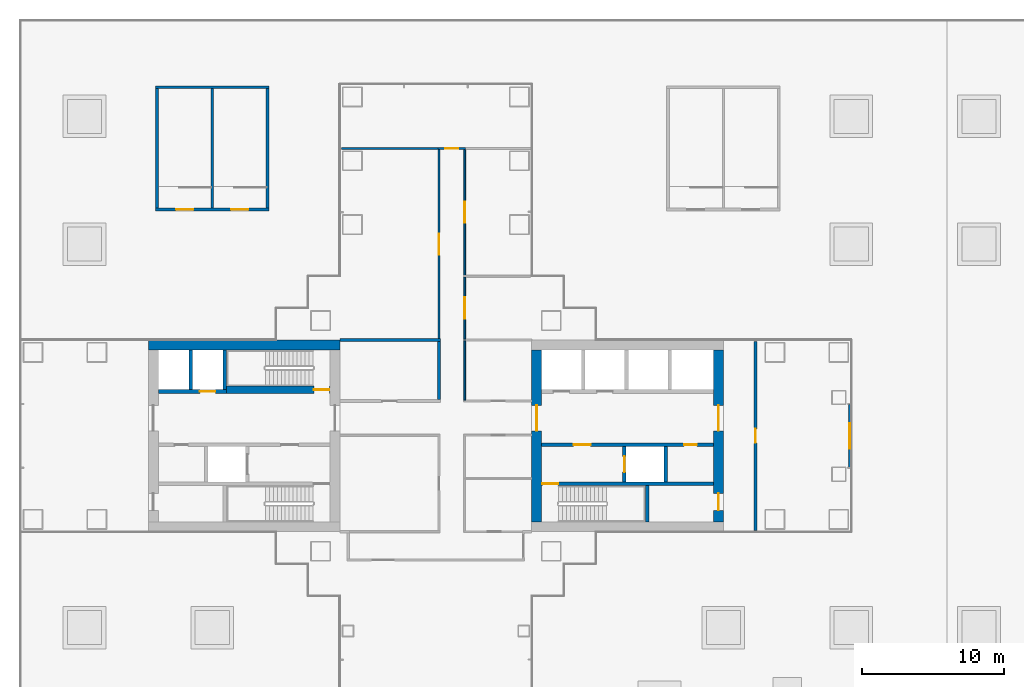
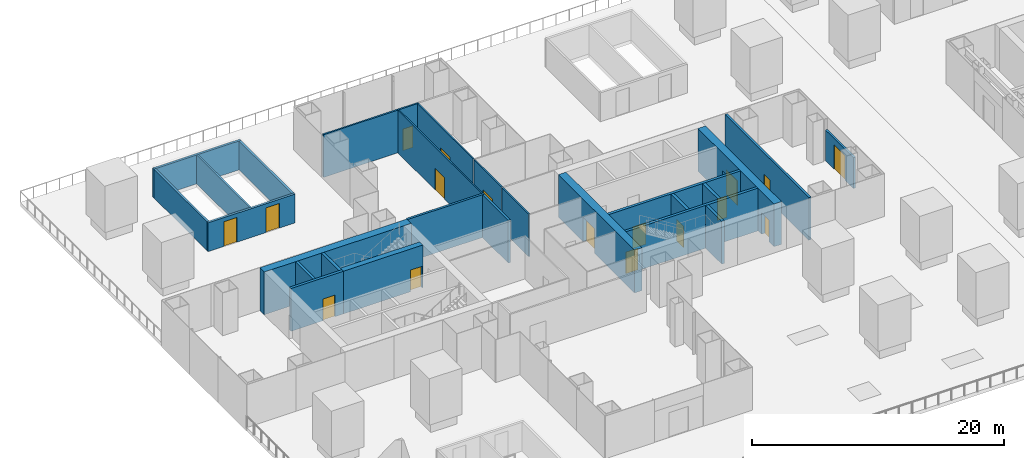
# One storey, part 15 of 23: 27 walls, 17 doors, 17 openings.
"""IFC4 building model written with IfcOpenShell, lengths in metres."""

from ifc_helpers import new_model, si_unit, direction, frame, frame_2d, origin, place, context, subcontext, project, spatial, rectangle, extrude, material, layer, layer_set, type_object, element, fill, save


model = new_model("IFC4")

# Units and contexts
model_context = context("Model", 3, precision=1e-05, world=origin(), true_north=direction((0.0, 1.0)))
body_context = subcontext(model_context, "Body", "Model", "MODEL_VIEW")
ifc_project = project(units=[si_unit("LENGTHUNIT", "METRE"), si_unit("AREAUNIT", "SQUARE_METRE"), si_unit("VOLUMEUNIT", "CUBIC_METRE"), si_unit("PLANEANGLEUNIT", "RADIAN"), si_unit("MASSUNIT", "GRAM", prefix="KILO")], contexts=[model_context])

# Site, building, storey
site_placement = place(None, origin())
site = spatial("IfcSite", under=ifc_project, at=site_placement, CompositionType="ELEMENT")
building_placement = place(site_placement, origin())
building = spatial("IfcBuilding", under=site, at=building_placement, Name="Shamsa Quay Exchange Towers", CompositionType="ELEMENT")
storey_placement = place(building_placement, frame((0.0, 0.0, 28.5)))
storey = spatial("IfcBuildingStorey", under=building, at=storey_placement, Name="L05", CompositionType="ELEMENT", Elevation=28.5)

# Wall, opening, door
ifc_material_1 = material(Name="Concrete C80/95", Category="concrete")
ifc_layer_1 = layer(ifc_material_1, 0.699951171875)
ifc_layer_set_1 = layer_set([ifc_layer_1], Name="CORE WALL 700 C80/95")
wall_type_1 = type_object("IfcWallType", Name="CORE WALL 700 C80/95", PredefinedType="SHEAR", material=ifc_layer_set_1)
wall_1_placement = place(storey_placement, frame((-26.64990234375, 6.050048828125, 0.0), z_axis=(0.0, 0.0, 1.0), x_axis=(0.0, -1.0, 0.0)))
wall_1 = element("IfcWall", 1, at=wall_1_placement, inside=storey, type_object=wall_type_1, Name="Core wall T1A-R01-PF", PredefinedType="SHEAR", context=body_context, shape_type="SweptSolid", body=[
    extrude(rectangle(XDim=12.10009765625, YDim=0.699951171875, at=frame_2d((6.050048828125, 0.0))), origin(), (0.0, 0.0, 1.0), 4.14990234375),
])
opening_1_placement = place(wall_1_placement, frame((3.89990234375, 0.0, 0.0)))
opening_1 = element("IfcOpeningElement", 2, at=opening_1_placement, cuts=wall_1, Name="Opening T1A-R01-LBD01", PredefinedType="OPENING", context=body_context, shape_type="SweptSolid", body=[
    extrude(rectangle(XDim=1.800048828125, YDim=2.39990234375, at=frame_2d((0.89990234375, 1.199951171875))), frame((0.0, 0.35986328125, 0.0), z_axis=(0.0, -1.0, 0.0), x_axis=(1.0, 0.0, 0.0)), (0.0, 0.0, 1.0), 0.719970703125),
])
ifc_material_2 = material(Name="Steel, fire rated", Category="steel")
door_type_1 = type_object("IfcDoorType", Name="LIFT LOBBY DOOR PAIR 1800", OperationType="DOUBLE_DOOR_SINGLE_SWING", PredefinedType="DOOR", material=ifc_material_2)
door_1_placement = place(opening_1_placement, origin())
door_1 = element("IfcDoor", 3, at=door_1_placement, inside=storey, type_object=door_type_1, Name="T1A-R01-LBD01", OperationType="DOUBLE_DOOR_SINGLE_SWING", OverallHeight=2.39990234375, OverallWidth=1.800048828125, PredefinedType="DOOR", context=body_context, shape_type="SweptSolid", body=[
    extrude(rectangle(XDim=1.800048828125, YDim=2.39990234375, at=frame_2d((0.89990234375, 1.199951171875))), frame((0.0, 0.02490234375, 0.0), z_axis=(0.0, -1.0, 0.0), x_axis=(1.0, 0.0, 0.0)), (0.0, 0.0, 1.0), 0.050048828125),
])
fill(opening_1, door_1)

# Wall, openings, doors
wall_2_placement = place(storey_placement, frame((-13.85009765625, 6.050048828125, 0.0), z_axis=(0.0, 0.0, 1.0), x_axis=(0.0, -1.0, 0.0)))
wall_2 = element("IfcWall", 4, at=wall_2_placement, inside=storey, type_object=wall_type_1, Name="Core wall T1A-R01-PB", PredefinedType="SHEAR", context=body_context, shape_type="SweptSolid", body=[
    extrude(rectangle(XDim=12.10009765625, YDim=0.699951171875, at=frame_2d((6.050048828125, 0.0))), origin(), (0.0, 0.0, 1.0), 4.14990234375),
])
opening_2_placement = place(wall_2_placement, frame((10.10009765625, 0.0, 0.0)))
opening_2 = element("IfcOpeningElement", 5, at=opening_2_placement, cuts=wall_2, Name="Opening T1A-R01-RD02", PredefinedType="OPENING", context=body_context, shape_type="SweptSolid", body=[
    extrude(rectangle(XDim=1.199951171875, YDim=2.10009765625, at=frame_2d((0.60009765625, 1.050048828125))), frame((0.0, 0.35986328125, 0.0), z_axis=(0.0, -1.0, 0.0), x_axis=(1.0, 0.0, 0.0)), (0.0, 0.0, 1.0), 0.719970703125),
])
opening_3_placement = place(wall_2_placement, frame((3.89990234375, 0.0, 0.0)))
opening_3 = element("IfcOpeningElement", 6, at=opening_3_placement, cuts=wall_2, Name="Opening T1A-R01-LBD03", PredefinedType="OPENING", context=body_context, shape_type="SweptSolid", body=[
    extrude(rectangle(XDim=1.800048828125, YDim=2.39990234375, at=frame_2d((0.89990234375, 1.199951171875))), frame((0.0, 0.35986328125, 0.0), z_axis=(0.0, -1.0, 0.0), x_axis=(1.0, 0.0, 0.0)), (0.0, 0.0, 1.0), 0.719970703125),
])
door_2_placement = place(opening_3_placement, origin())
door_2 = element("IfcDoor", 7, at=door_2_placement, inside=storey, type_object=door_type_1, Name="T1A-R01-LBD03", OperationType="DOUBLE_DOOR_SINGLE_SWING", OverallHeight=2.39990234375, OverallWidth=1.800048828125, PredefinedType="DOOR", context=body_context, shape_type="SweptSolid", body=[
    extrude(rectangle(XDim=1.800048828125, YDim=2.39990234375, at=frame_2d((0.89990234375, 1.199951171875))), frame((0.0, 0.02490234375, 0.0), z_axis=(0.0, -1.0, 0.0), x_axis=(1.0, 0.0, 0.0)), (0.0, 0.0, 1.0), 0.050048828125),
])
fill(opening_3, door_2)
door_type_2 = type_object("IfcDoorType", Name="RISER ACCESS DOOR 1200", OperationType="SINGLE_SWING_LEFT", PredefinedType="DOOR", material=ifc_material_2)
door_3_placement = place(opening_2_placement, origin())
door_3 = element("IfcDoor", 8, at=door_3_placement, inside=storey, type_object=door_type_2, Name="T1A-R01-RD02", OperationType="SINGLE_SWING_RIGHT", OverallHeight=2.10009765625, OverallWidth=1.199951171875, PredefinedType="DOOR", context=body_context, shape_type="SweptSolid", body=[
    extrude(rectangle(XDim=1.199951171875, YDim=2.10009765625, at=frame_2d((0.60009765625, 1.050048828125))), frame((0.0, 0.02490234375, 0.0), z_axis=(0.0, -1.0, 0.0), x_axis=(1.0, 0.0, 0.0)), (0.0, 0.0, 1.0), 0.050048828125),
])
fill(opening_2, door_3)

# Wall
wall_3_placement = place(storey_placement, frame((-40.5, 6.39990234375, 0.0), z_axis=(0.0, 0.0, 1.0), x_axis=(-1.0, 0.0, 0.0)))
element("IfcWall", 9, at=wall_3_placement, inside=storey, type_object=wall_type_1, Name="Core wall T1B-R01-PN", PredefinedType="SHEAR", context=body_context, shape_type="SweptSolid", body=[
    extrude(rectangle(XDim=13.5, YDim=0.699951171875, at=frame_2d((6.75, 0.0))), origin(), (0.0, 0.0, 1.0), 4.14990234375),
])

# Wall, opening, door
ifc_material_3 = material(Name="Aluminium EN AW-6063 T6, black anodised, with black enamelled glass infill", Category="aluminium")
ifc_layer_2 = layer(ifc_material_3, 0.199951171875)
ifc_layer_set_2 = layer_set([ifc_layer_2], Name="ENTRANCE DOOR BAY WALL 200")
wall_type_2 = type_object("IfcWallType", Name="ENTRANCE DOOR BAY WALL 200", PredefinedType="SOLIDWALL", material=ifc_layer_set_2)
wall_4_placement = place(storey_placement, frame((-4.60009765625, 2.219970703125, 0.0), z_axis=(0.0, 0.0, 1.0), x_axis=(0.0, -1.0, 0.0)))
wall_4 = element("IfcWall", 10, at=wall_4_placement, inside=storey, type_object=wall_type_2, Name="Entrance bay T1 L05 T1-END-U+ bay 2", PredefinedType="SOLIDWALL", context=body_context, shape_type="SweptSolid", body=[
    extrude(rectangle(XDim=4.43994140625, YDim=0.199951171875, at=frame_2d((2.219970703125, 0.0))), origin(), (0.0, 0.0, 1.0), 3.0),
])
opening_4_placement = place(wall_4_placement, frame((1.320068359375, 0.0, 0.0)))
opening_4 = element("IfcOpeningElement", 11, at=opening_4_placement, cuts=wall_4, Name="Opening XD038", PredefinedType="OPENING", context=body_context, shape_type="SweptSolid", body=[
    extrude(rectangle(XDim=1.800048828125, YDim=2.39990234375, at=frame_2d((0.89990234375, 1.199951171875))), frame((0.0, 0.10986328125, 0.0), z_axis=(0.0, -1.0, 0.0), x_axis=(1.0, 0.0, 0.0)), (0.0, 0.0, 1.0), 0.219970703125),
])
ifc_material_4 = material(Name="Aluminium EN AW-6063 T6, black anodised, with laminated glass leaves", Category="aluminium")
door_type_3 = type_object("IfcDoorType", Name="TERRACE DOOR 1800x2400", OperationType="DOUBLE_DOOR_SINGLE_SWING", PredefinedType="DOOR", material=ifc_material_4)
door_4_placement = place(opening_4_placement, origin())
door_4 = element("IfcDoor", 12, at=door_4_placement, inside=storey, type_object=door_type_3, Name="Terrace door T1 L05 T1-END-U+ bay 2", OperationType="DOUBLE_DOOR_SINGLE_SWING", OverallHeight=2.39990234375, OverallWidth=1.800048828125, PredefinedType="DOOR", context=body_context, shape_type="SweptSolid", body=[
    extrude(rectangle(XDim=1.800048828125, YDim=2.39990234375, at=frame_2d((0.89990234375, 1.199951171875))), frame((0.0, 0.02490234375, 0.0), z_axis=(0.0, -1.0, 0.0), x_axis=(1.0, 0.0, 0.0)), (0.0, 0.0, 1.0), 0.050048828125),
])
fill(opening_4, door_4)

ifc_material_5 = material(Name="Laminated fire-resisting glass in a metal frame", Category="glass")
ifc_layer_3 = layer(ifc_material_5, 0.125)
ifc_layer_set_3 = layer_set([ifc_layer_3], Name="Glazed partition 125 mm EI 60")
wall_type_3 = type_object("IfcWallType", Name="Glazed partition 125 mm EI 60", PredefinedType="PARTITIONING", material=ifc_layer_set_3)
wall_5_placement = place(storey_placement, frame((-31.724609375, 20.175048828125, 0.0), z_axis=(0.0, 0.0, 1.0), x_axis=(0.0, -1.0, 0.0)))
wall_5 = element("IfcWall", 13, at=wall_5_placement, inside=storey, type_object=wall_type_3, Name="Partition T1-R01-W01", PredefinedType="PARTITIONING", context=body_context, shape_type="SweptSolid", body=[
    extrude(rectangle(XDim=8.862548828125, YDim=0.125, at=frame_2d((4.43115234375, 0.0))), origin(), (0.0, 0.0, 1.0), 4.14990234375),
])
opening_5_placement = place(wall_5_placement, frame((3.675048828125, 0.0, 0.0)))
opening_5 = element("IfcOpeningElement", 14, at=opening_5_placement, cuts=wall_5, Name="Opening T1-R01-D09", PredefinedType="OPENING", context=body_context, shape_type="SweptSolid", body=[
    extrude(rectangle(XDim=1.5, YDim=2.10009765625, at=frame_2d((0.75, 1.050048828125))), frame((0.0, 0.072509765625, 0.0), z_axis=(0.0, -1.0, 0.0), x_axis=(1.0, 0.0, 0.0)), (0.0, 0.0, 1.0), 0.14501953125),
])
ifc_material_6 = material(Name="Timber door leaf in a metal frame", Category="wood")
door_type_4 = type_object("IfcDoorType", Name="Door 1500x2100 FD30S pair", OperationType="NOTDEFINED", PredefinedType="DOOR", material=ifc_material_6)
door_5_placement = place(opening_5_placement, origin())
door_5 = element("IfcDoor", 15, at=door_5_placement, inside=storey, type_object=door_type_4, Name="Door T1-R01-D09", OperationType="DOUBLE_DOOR_SINGLE_SWING", OverallHeight=2.10009765625, OverallWidth=1.5, PredefinedType="DOOR", context=body_context, shape_type="SweptSolid", body=[
    extrude(rectangle(XDim=1.5, YDim=2.10009765625, at=frame_2d((0.75, 1.050048828125))), frame((0.0, 0.02490234375, 0.0), z_axis=(0.0, -1.0, 0.0), x_axis=(1.0, 0.0, 0.0)), (0.0, 0.0, 1.0), 0.050048828125),
])
fill(opening_5, door_5)

# Wall
wall_6_placement = place(storey_placement, frame((-31.724609375, 6.6875, 0.0), z_axis=(0.0, 0.0, 1.0), x_axis=(0.0, -1.0, 0.0)))
element("IfcWall", 16, at=wall_6_placement, inside=storey, type_object=wall_type_3, Name="Partition T1-R01-W02", PredefinedType="PARTITIONING", context=body_context, shape_type="SweptSolid", body=[
    extrude(rectangle(XDim=4.1748046875, YDim=0.125, at=frame_2d((2.08740234375, 0.0))), origin(), (0.0, 0.0, 1.0), 4.14990234375),
])

# Wall, opening, door
wall_7_placement = place(storey_placement, frame((-33.525390625, 6.85009765625, 0.0), z_axis=(0.0, 0.0, 1.0), x_axis=(0.0, 1.0, 0.0)))
wall_7 = element("IfcWall", 17, at=wall_7_placement, inside=storey, type_object=wall_type_3, Name="Partition T1-R01-W11", PredefinedType="PARTITIONING", context=body_context, shape_type="SweptSolid", body=[
    extrude(rectangle(XDim=13.324951171875, YDim=0.125, at=frame_2d((6.66259765625, 0.0))), origin(), (0.0, 0.0, 1.0), 4.14990234375),
])
opening_6_placement = place(wall_7_placement, frame((5.89990234375, 0.0, 0.0)))
opening_6 = element("IfcOpeningElement", 18, at=opening_6_placement, cuts=wall_7, Name="Opening T1-R01-D04", PredefinedType="OPENING", context=body_context, shape_type="SweptSolid", body=[
    extrude(rectangle(XDim=1.5, YDim=2.10009765625, at=frame_2d((0.75, 1.050048828125))), frame((0.0, 0.072509765625, 0.0), z_axis=(0.0, -1.0, 0.0), x_axis=(1.0, 0.0, 0.0)), (0.0, 0.0, 1.0), 0.14501953125),
])
door_6_placement = place(opening_6_placement, origin())
door_6 = element("IfcDoor", 19, at=door_6_placement, inside=storey, type_object=door_type_4, Name="Door T1-R01-D04", OperationType="DOUBLE_DOOR_SINGLE_SWING", OverallHeight=2.10009765625, OverallWidth=1.5, PredefinedType="DOOR", context=body_context, shape_type="SweptSolid", body=[
    extrude(rectangle(XDim=1.5, YDim=2.10009765625, at=frame_2d((0.75, 1.050048828125))), frame((0.0, 0.02490234375, 0.0), z_axis=(0.0, -1.0, 0.0), x_axis=(1.0, 0.0, 0.0)), (0.0, 0.0, 1.0), 0.050048828125),
])
fill(opening_6, door_6)

wall_8_placement = place(storey_placement, frame((-31.724609375, 6.8125, 0.0), z_axis=(0.0, 0.0, 1.0), x_axis=(0.0, 1.0, 0.0)))
wall_8 = element("IfcWall", 20, at=wall_8_placement, inside=storey, type_object=wall_type_3, Name="Partition T1-R01-W13", PredefinedType="PARTITIONING", context=body_context, shape_type="SweptSolid", body=[
    extrude(rectangle(XDim=4.375, YDim=0.125, at=frame_2d((2.1875, 0.0))), origin(), (0.0, 0.0, 1.0), 4.14990234375),
])
opening_7_placement = place(wall_8_placement, frame((1.4375, 0.0, 0.0)))
opening_7 = element("IfcOpeningElement", 21, at=opening_7_placement, cuts=wall_8, Name="Opening T1-R01-D08", PredefinedType="OPENING", context=body_context, shape_type="SweptSolid", body=[
    extrude(rectangle(XDim=1.5, YDim=2.10009765625, at=frame_2d((0.75, 1.050048828125))), frame((0.0, 0.072509765625, 0.0), z_axis=(0.0, -1.0, 0.0), x_axis=(1.0, 0.0, 0.0)), (0.0, 0.0, 1.0), 0.14501953125),
])
door_7_placement = place(opening_7_placement, origin())
door_7 = element("IfcDoor", 22, at=door_7_placement, inside=storey, type_object=door_type_4, Name="Door T1-R01-D08", OperationType="DOUBLE_DOOR_SINGLE_SWING", OverallHeight=2.10009765625, OverallWidth=1.5, PredefinedType="DOOR", context=body_context, shape_type="SweptSolid", body=[
    extrude(rectangle(XDim=1.5, YDim=2.10009765625, at=frame_2d((0.75, 1.050048828125))), frame((0.0, 0.02490234375, 0.0), z_axis=(0.0, -1.0, 0.0), x_axis=(1.0, 0.0, 0.0)), (0.0, 0.0, 1.0), 0.050048828125),
])
fill(opening_7, door_7)

ifc_material_7 = material(Name="Gypsum board partition on metal studs")
ifc_layer_4 = layer(ifc_material_7, 0.14990234375)
ifc_layer_set_4 = layer_set([ifc_layer_4], Name="Partition 150 mm EI 60")
wall_type_4 = type_object("IfcWallType", Name="Partition 150 mm EI 60", PredefinedType="PARTITIONING", material=ifc_layer_set_4)
wall_9_placement = place(storey_placement, frame((-33.587890625, 20.25, 0.0)))
wall_9 = element("IfcWall", 23, at=wall_9_placement, inside=storey, type_object=wall_type_4, Name="Partition T1-R01-W14", PredefinedType="PARTITIONING", context=body_context, shape_type="SweptSolid", body=[
    extrude(rectangle(XDim=1.92578125, YDim=0.14990234375, at=frame_2d((0.962890625, 0.0))), origin(), (0.0, 0.0, 1.0), 4.14990234375),
])
opening_8_placement = place(wall_9_placement, frame((0.512939453125, 0.0, 0.0)))
opening_8 = element("IfcOpeningElement", 24, at=opening_8_placement, cuts=wall_9, Name="Opening T1-R01-D05", PredefinedType="OPENING", context=body_context, shape_type="SweptSolid", body=[
    extrude(rectangle(XDim=0.89990234375, YDim=2.10009765625, at=frame_2d((0.449951171875, 1.050048828125))), frame((0.0, 0.0849609375, 0.0), z_axis=(0.0, -1.0, 0.0), x_axis=(1.0, 0.0, 0.0)), (0.0, 0.0, 1.0), 0.169921875),
])
door_type_5 = type_object("IfcDoorType", Name="Door 900x2100 FD30S", OperationType="NOTDEFINED", PredefinedType="DOOR", material=ifc_material_6)
door_8_placement = place(opening_8_placement, origin())
door_8 = element("IfcDoor", 25, at=door_8_placement, inside=storey, type_object=door_type_5, Name="Door T1-R01-D05", OperationType="SINGLE_SWING_LEFT", OverallHeight=2.10009765625, OverallWidth=0.89990234375, PredefinedType="DOOR", context=body_context, shape_type="SweptSolid", body=[
    extrude(rectangle(XDim=0.89990234375, YDim=2.10009765625, at=frame_2d((0.449951171875, 1.050048828125))), frame((0.0, 0.02490234375, 0.0), z_axis=(0.0, -1.0, 0.0), x_axis=(1.0, 0.0, 0.0)), (0.0, 0.0, 1.0), 0.050048828125),
])
fill(opening_8, door_8)

# Walls
wall_10_placement = place(storey_placement, frame((-33.462890625, 20.25, 0.0), z_axis=(0.0, 0.0, 1.0), x_axis=(-1.0, 0.0, 0.0)))
element("IfcWall", 26, at=wall_10_placement, inside=storey, type_object=wall_type_4, Name="Partition T1-R01-W26", PredefinedType="PARTITIONING", context=body_context, shape_type="SweptSolid", body=[
    extrude(rectangle(XDim=6.942138671875, YDim=0.14990234375, at=frame_2d((3.47119140625, 0.0))), origin(), (0.0, 0.0, 1.0), 4.14990234375),
])
ifc_layer_5 = layer(ifc_material_7, 0.199951171875)
ifc_layer_set_5 = layer_set([ifc_layer_5], Name="Partition 200 mm EI 120")
wall_type_5 = type_object("IfcWallType", Name="Partition 200 mm EI 120", PredefinedType="PARTITIONING", material=ifc_layer_set_5)
wall_11_placement = place(storey_placement, frame((-33.525390625, 2.55029296875, 0.0), z_axis=(0.0, 0.0, 1.0), x_axis=(0.0, 1.0, 0.0)))
element("IfcWall", 27, at=wall_11_placement, inside=storey, type_object=wall_type_5, Name="Partition T1-R01-W08", PredefinedType="PARTITIONING", context=body_context, shape_type="SweptSolid", body=[
    extrude(rectangle(XDim=4.099609375, YDim=0.199951171875, at=frame_2d((2.0498046875, 0.0))), origin(), (0.0, 0.0, 1.0), 4.14990234375),
])

# Wall, opening, door
wall_12_placement = place(storey_placement, frame((-11.25, 6.655029296875, 0.0), z_axis=(0.0, 0.0, 1.0), x_axis=(0.0, -1.0, 0.0)))
wall_12 = element("IfcWall", 28, at=wall_12_placement, inside=storey, type_object=wall_type_5, Name="Partition T1-R01-W18", PredefinedType="PARTITIONING", context=body_context, shape_type="SweptSolid", body=[
    extrude(rectangle(XDim=13.31005859375, YDim=0.199951171875, at=frame_2d((6.655029296875, 0.0))), origin(), (0.0, 0.0, 1.0), 4.14990234375),
])
opening_9_placement = place(wall_12_placement, frame((6.155029296875, 0.0, 0.0)))
opening_9 = element("IfcOpeningElement", 29, at=opening_9_placement, cuts=wall_12, Name="Opening T1-R01-D12", PredefinedType="OPENING", context=body_context, shape_type="SweptSolid", body=[
    extrude(rectangle(XDim=1.0, YDim=2.10009765625, at=frame_2d((0.5, 1.050048828125))), frame((0.0, 0.10986328125, 0.0), z_axis=(0.0, -1.0, 0.0), x_axis=(1.0, 0.0, 0.0)), (0.0, 0.0, 1.0), 0.219970703125),
])
door_type_6 = type_object("IfcDoorType", Name="Door 1000x2100 FD60", OperationType="NOTDEFINED", PredefinedType="DOOR", material=ifc_material_6)
door_9_placement = place(opening_9_placement, origin())
door_9 = element("IfcDoor", 30, at=door_9_placement, inside=storey, type_object=door_type_6, Name="Door T1-R01-D12", OperationType="SINGLE_SWING_RIGHT", OverallHeight=2.10009765625, OverallWidth=1.0, PredefinedType="DOOR", context=body_context, shape_type="SweptSolid", body=[
    extrude(rectangle(XDim=1.0, YDim=2.10009765625, at=frame_2d((0.5, 1.050048828125))), frame((0.0, 0.02490234375, 0.0), z_axis=(0.0, -1.0, 0.0), x_axis=(1.0, 0.0, 0.0)), (0.0, 0.0, 1.0), 0.050048828125),
])
fill(opening_9, door_9)

# Wall
wall_13_placement = place(storey_placement, frame((-33.42529296875, 6.75, 0.0), z_axis=(0.0, 0.0, 1.0), x_axis=(-1.0, 0.0, 0.0)))
element("IfcWall", 31, at=wall_13_placement, inside=storey, type_object=wall_type_5, Name="Partition T1-R01-W23", PredefinedType="PARTITIONING", context=body_context, shape_type="SweptSolid", body=[
    extrude(rectangle(XDim=7.07470703125, YDim=0.199951171875, at=frame_2d((3.537353515625, 0.0))), origin(), (0.0, 0.0, 1.0), 4.14990234375),
])

# Wall, opening, door
ifc_material_8 = material(Name="Concrete C50/60", Category="concrete")
ifc_layer_6 = layer(ifc_material_8, 0.25)
ifc_layer_set_6 = layer_set([ifc_layer_6], Name="SHAFT WALL 250 C50/60")
wall_type_6 = type_object("IfcWallType", Name="SHAFT WALL 250 C50/60", PredefinedType="SHEAR", material=ifc_layer_set_6)
wall_14_placement = place(storey_placement, frame((-14.199951171875, -3.375, 0.0), z_axis=(0.0, 0.0, 1.0), x_axis=(-1.0, 0.0, 0.0)))
wall_14 = element("IfcWall", 32, at=wall_14_placement, inside=storey, type_object=wall_type_6, Name="Shaft wall T1A-R01-STL", PredefinedType="SHEAR", context=body_context, shape_type="SweptSolid", body=[
    extrude(rectangle(XDim=12.10009765625, YDim=0.25, at=frame_2d((6.050048828125, 0.0))), origin(), (0.0, 0.0, 1.0), 4.14990234375),
])
opening_10_placement = place(wall_14_placement, frame((10.949951171875, 0.0, 0.0)))
opening_10 = element("IfcOpeningElement", 33, at=opening_10_placement, cuts=wall_14, Name="Opening T1A-R01-SD04", PredefinedType="OPENING", context=body_context, shape_type="SweptSolid", body=[
    extrude(rectangle(XDim=1.10009765625, YDim=2.10009765625, at=frame_2d((0.550048828125, 1.050048828125))), frame((0.0, 0.135009765625, 0.0), z_axis=(0.0, -1.0, 0.0), x_axis=(1.0, 0.0, 0.0)), (0.0, 0.0, 1.0), 0.27001953125),
])
door_type_7 = type_object("IfcDoorType", Name="STAIR DOOR 1100", OperationType="SINGLE_SWING_LEFT", PredefinedType="DOOR", material=ifc_material_2)
door_10_placement = place(opening_10_placement, origin())
door_10 = element("IfcDoor", 34, at=door_10_placement, inside=storey, type_object=door_type_7, Name="T1A-R01-SD04", OperationType="SINGLE_SWING_RIGHT", OverallHeight=2.10009765625, OverallWidth=1.10009765625, PredefinedType="DOOR", context=body_context, shape_type="SweptSolid", body=[
    extrude(rectangle(XDim=1.10009765625, YDim=2.10009765625, at=frame_2d((0.550048828125, 1.050048828125))), frame((0.0, 0.02490234375, 0.0), z_axis=(0.0, -1.0, 0.0), x_axis=(1.0, 0.0, 0.0)), (0.0, 0.0, 1.0), 0.050048828125),
])
fill(opening_10, door_10)

# Wall
wall_15_placement = place(storey_placement, frame((-18.875, -6.050048828125, 0.0), z_axis=(0.0, 0.0, 1.0), x_axis=(0.0, 1.0, 0.0)))
element("IfcWall", 35, at=wall_15_placement, inside=storey, type_object=wall_type_6, Name="Shaft wall T1A-R01-STF", PredefinedType="SHEAR", context=body_context, shape_type="SweptSolid", body=[
    extrude(rectangle(XDim=2.550048828125, YDim=0.25, at=frame_2d((1.27490234375, 0.0))), origin(), (0.0, 0.0, 1.0), 4.14990234375),
])

# Wall, openings, doors
wall_16_placement = place(storey_placement, frame((-14.199951171875, -0.625, 0.0), z_axis=(0.0, 0.0, 1.0), x_axis=(-1.0, 0.0, 0.0)))
wall_16 = element("IfcWall", 36, at=wall_16_placement, inside=storey, type_object=wall_type_6, Name="Shaft wall T1A-R01-B", PredefinedType="SHEAR", context=body_context, shape_type="SweptSolid", body=[
    extrude(rectangle(XDim=12.10009765625, YDim=0.25, at=frame_2d((6.050048828125, 0.0))), origin(), (0.0, 0.0, 1.0), 4.14990234375),
])
opening_11_placement = place(wall_16_placement, frame((8.64990234375, 0.0, 0.0)))
opening_11 = element("IfcOpeningElement", 37, at=opening_11_placement, cuts=wall_16, Name="Opening T1A-R01-FD05", PredefinedType="OPENING", context=body_context, shape_type="SweptSolid", body=[
    extrude(rectangle(XDim=1.199951171875, YDim=2.10009765625, at=frame_2d((0.60009765625, 1.050048828125))), frame((0.0, 0.135009765625, 0.0), z_axis=(0.0, -1.0, 0.0), x_axis=(1.0, 0.0, 0.0)), (0.0, 0.0, 1.0), 0.27001953125),
])
opening_12_placement = place(wall_16_placement, frame((1.175048828125, 0.0, 0.0)))
opening_12 = element("IfcOpeningElement", 38, at=opening_12_placement, cuts=wall_16, Name="Opening T1A-R01-SV06", PredefinedType="OPENING", context=body_context, shape_type="SweptSolid", body=[
    extrude(rectangle(XDim=0.89990234375, YDim=2.10009765625, at=frame_2d((0.449951171875, 1.050048828125))), frame((0.0, 0.135009765625, 0.0), z_axis=(0.0, -1.0, 0.0), x_axis=(1.0, 0.0, 0.0)), (0.0, 0.0, 1.0), 0.27001953125),
])
door_type_8 = type_object("IfcDoorType", Name="FIRE SERVICE LOBBY DOOR 1200", OperationType="SINGLE_SWING_LEFT", PredefinedType="DOOR", material=ifc_material_2)
door_11_placement = place(opening_11_placement, origin())
door_11 = element("IfcDoor", 39, at=door_11_placement, inside=storey, type_object=door_type_8, Name="T1A-R01-FD05", OperationType="SINGLE_SWING_RIGHT", OverallHeight=2.10009765625, OverallWidth=1.199951171875, PredefinedType="DOOR", context=body_context, shape_type="SweptSolid", body=[
    extrude(rectangle(XDim=1.199951171875, YDim=2.10009765625, at=frame_2d((0.60009765625, 1.050048828125))), frame((0.0, 0.02490234375, 0.0), z_axis=(0.0, -1.0, 0.0), x_axis=(1.0, 0.0, 0.0)), (0.0, 0.0, 1.0), 0.050048828125),
])
fill(opening_11, door_11)
door_type_9 = type_object("IfcDoorType", Name="SERVICE ROOM DOOR 900", OperationType="SINGLE_SWING_LEFT", PredefinedType="DOOR", material=ifc_material_2)
door_12_placement = place(opening_12_placement, origin())
door_12 = element("IfcDoor", 40, at=door_12_placement, inside=storey, type_object=door_type_9, Name="T1A-R01-SV06", OperationType="SINGLE_SWING_LEFT", OverallHeight=2.10009765625, OverallWidth=0.89990234375, PredefinedType="DOOR", context=body_context, shape_type="SweptSolid", body=[
    extrude(rectangle(XDim=0.89990234375, YDim=2.10009765625, at=frame_2d((0.449951171875, 1.050048828125))), frame((0.0, 0.02490234375, 0.0), z_axis=(0.0, -1.0, 0.0), x_axis=(1.0, 0.0, 0.0)), (0.0, 0.0, 1.0), 0.050048828125),
])
fill(opening_12, door_12)

# Wall, opening, door
wall_17_placement = place(storey_placement, frame((-20.47509765625, -3.25, 0.0), z_axis=(0.0, 0.0, 1.0), x_axis=(0.0, 1.0, 0.0)))
wall_17 = element("IfcWall", 41, at=wall_17_placement, inside=storey, type_object=wall_type_6, Name="Shaft wall T1A-R01-FFF", PredefinedType="SHEAR", context=body_context, shape_type="SweptSolid", body=[
    extrude(rectangle(XDim=2.5, YDim=0.25, at=frame_2d((1.25, 0.0))), origin(), (0.0, 0.0, 1.0), 4.14990234375),
])
opening_13_placement = place(wall_17_placement, frame((0.699951171875, 0.0, 0.0)))
opening_13 = element("IfcOpeningElement", 42, at=opening_13_placement, cuts=wall_17, Name="Opening T1A-R01-LDF07", PredefinedType="OPENING", context=body_context, shape_type="SweptSolid", body=[
    extrude(rectangle(XDim=1.10009765625, YDim=2.10009765625, at=frame_2d((0.550048828125, 1.050048828125))), frame((0.0, 0.135009765625, 0.0), z_axis=(0.0, -1.0, 0.0), x_axis=(1.0, 0.0, 0.0)), (0.0, 0.0, 1.0), 0.27001953125),
])
door_type_10 = type_object("IfcDoorType", Name="FIRE SERVICE LANDING DOOR 1100", OperationType="SLIDING_TO_LEFT", PredefinedType="DOOR", material=ifc_material_2)
door_13_placement = place(opening_13_placement, origin())
door_13 = element("IfcDoor", 43, at=door_13_placement, inside=storey, type_object=door_type_10, Name="T1A-R01-LDF07", OperationType="SLIDING_TO_LEFT", OverallHeight=2.10009765625, OverallWidth=1.10009765625, PredefinedType="DOOR", context=body_context, shape_type="SweptSolid", body=[
    extrude(rectangle(XDim=1.10009765625, YDim=2.10009765625, at=frame_2d((0.550048828125, 1.050048828125))), frame((0.0, 0.02490234375, 0.0), z_axis=(0.0, -1.0, 0.0), x_axis=(1.0, 0.0, 0.0)), (0.0, 0.0, 1.0), 0.050048828125),
])
fill(opening_13, door_13)

# Wall
wall_18_placement = place(storey_placement, frame((-17.574951171875, -3.25, 0.0), z_axis=(0.0, 0.0, 1.0), x_axis=(0.0, 1.0, 0.0)))
element("IfcWall", 44, at=wall_18_placement, inside=storey, type_object=wall_type_6, Name="Shaft wall T1A-R01-FFB", PredefinedType="SHEAR", context=body_context, shape_type="SweptSolid", body=[
    extrude(rectangle(XDim=2.5, YDim=0.25, at=frame_2d((1.25, 0.0))), origin(), (0.0, 0.0, 1.0), 4.14990234375),
])

# Wall, opening, door
wall_19_placement = place(storey_placement, frame((-48.5, 3.125, 0.0), z_axis=(0.0, 0.0, 1.0), x_axis=(-1.0, 0.0, 0.0)))
wall_19 = element("IfcWall", 45, at=wall_19_placement, inside=storey, type_object=wall_type_6, Name="Shaft wall T1B-R01-N2", PredefinedType="SHEAR", context=body_context, shape_type="SweptSolid", body=[
    extrude(rectangle(XDim=4.800048828125, YDim=0.25, at=frame_2d((2.39990234375, 0.0))), origin(), (0.0, 0.0, 1.0), 4.14990234375),
])
opening_14_placement = place(wall_19_placement, frame((0.77490234375, 0.0, 0.0)))
opening_14 = element("IfcOpeningElement", 46, at=opening_14_placement, cuts=wall_19, Name="Opening T1B-R01-LD09", PredefinedType="OPENING", context=body_context, shape_type="SweptSolid", body=[
    extrude(rectangle(XDim=1.10009765625, YDim=2.10009765625, at=frame_2d((0.550048828125, 1.050048828125))), frame((0.0, 0.135009765625, 0.0), z_axis=(0.0, -1.0, 0.0), x_axis=(1.0, 0.0, 0.0)), (0.0, 0.0, 1.0), 0.27001953125),
])
door_type_11 = type_object("IfcDoorType", Name="LANDING DOOR 1100", OperationType="SLIDING_TO_LEFT", PredefinedType="DOOR", material=ifc_material_2)
door_14_placement = place(opening_14_placement, origin())
door_14 = element("IfcDoor", 47, at=door_14_placement, inside=storey, type_object=door_type_11, Name="T1B-R01-LD09", OperationType="SLIDING_TO_LEFT", OverallHeight=2.10009765625, OverallWidth=1.10009765625, PredefinedType="DOOR", context=body_context, shape_type="SweptSolid", body=[
    extrude(rectangle(XDim=1.10009765625, YDim=2.10009765625, at=frame_2d((0.550048828125, 1.050048828125))), frame((0.0, 0.02490234375, 0.0), z_axis=(0.0, -1.0, 0.0), x_axis=(1.0, 0.0, 0.0)), (0.0, 0.0, 1.0), 0.050048828125),
])
fill(opening_14, door_14)

# Walls
for number, where, z_axis, x_axis, name in (
    (48, (-48.625, 3.25, 0.0), (0.0, 0.0, 1.0), (0.0, 1.0, 0.0), "Shaft wall T1B-R01-STF2"),
    (49, (-51.02490234375, 3.25, 0.0), (0.0, 0.0, 1.0), (0.0, 1.0, 0.0), "Shaft wall T1B-R01-D0"),
):
    element("IfcWall", number, at=place(storey_placement, frame(where, z_axis=z_axis, x_axis=x_axis)), inside=storey, type_object=wall_type_6, Name=name, PredefinedType="SHEAR", context=body_context, shape_type="SweptSolid", body=[
        extrude(rectangle(XDim=2.800048828125, YDim=0.25, at=frame_2d((1.39990234375, 0.0))), origin(), (0.0, 0.0, 1.0), 4.14990234375),
    ])

# Wall, opening, door
ifc_layer_7 = layer(ifc_material_8, 0.5)
ifc_layer_set_7 = layer_set([ifc_layer_7], Name="SHAFT WALL 500 C50/60")
wall_type_7 = type_object("IfcWallType", Name="SHAFT WALL 500 C50/60", PredefinedType="SHEAR", material=ifc_layer_set_7)
wall_20_placement = place(storey_placement, frame((-48.5, 3.25, 0.0)))
wall_20 = element("IfcWall", 50, at=wall_20_placement, inside=storey, type_object=wall_type_7, Name="Shaft wall T1B-R01-N", PredefinedType="SHEAR", context=body_context, shape_type="SweptSolid", body=[
    extrude(rectangle(XDim=7.300048828125, YDim=0.5, at=frame_2d((3.64990234375, 0.0))), origin(), (0.0, 0.0, 1.0), 4.14990234375),
])
opening_15_placement = place(wall_20_placement, frame((6.14990234375, 0.0, 0.0)))
opening_15 = element("IfcOpeningElement", 51, at=opening_15_placement, cuts=wall_20, Name="Opening T1B-R01-SD08", PredefinedType="OPENING", context=body_context, shape_type="SweptSolid", body=[
    extrude(rectangle(XDim=1.10009765625, YDim=2.10009765625, at=frame_2d((0.550048828125, 1.050048828125))), frame((0.0, 0.260009765625, 0.0), z_axis=(0.0, -1.0, 0.0), x_axis=(1.0, 0.0, 0.0)), (0.0, 0.0, 1.0), 0.52001953125),
])
door_15_placement = place(opening_15_placement, origin())
door_15 = element("IfcDoor", 52, at=door_15_placement, inside=storey, type_object=door_type_7, Name="T1B-R01-SD08", OperationType="SINGLE_SWING_RIGHT", OverallHeight=2.10009765625, OverallWidth=1.10009765625, PredefinedType="DOOR", context=body_context, shape_type="SweptSolid", body=[
    extrude(rectangle(XDim=1.10009765625, YDim=2.10009765625, at=frame_2d((0.550048828125, 1.050048828125))), frame((0.0, 0.02490234375, 0.0), z_axis=(0.0, -1.0, 0.0), x_axis=(1.0, 0.0, 0.0)), (0.0, 0.0, 1.0), 0.050048828125),
])
fill(opening_15, door_15)

# Wall, openings, doors
ifc_layer_8 = layer(ifc_material_8, 0.199951171875)
ifc_layer_set_8 = layer_set([ifc_layer_8], Name="STAIR ENCLOSURE WALL 200 C50/60")
wall_type_8 = type_object("IfcWallType", Name="STAIR ENCLOSURE WALL 200 C50/60", PredefinedType="SHEAR", material=ifc_layer_set_8)
wall_21_placement = place(storey_placement, frame((-53.5, 15.949951171875, 0.0)))
wall_21 = element("IfcWall", 53, at=wall_21_placement, inside=storey, type_object=wall_type_8, Name="Stair enclosure wall PS1 inward", PredefinedType="SHEAR", context=body_context, shape_type="SweptSolid", body=[
    extrude(rectangle(XDim=8.0, YDim=0.199951171875, at=frame_2d((4.0, 0.0))), origin(), (0.0, 0.0, 1.0), 2.800048828125),
])
opening_16_placement = place(wall_21_placement, frame((1.46240234375, 0.0, 0.0)))
opening_16 = element("IfcOpeningElement", 54, at=opening_16_placement, cuts=wall_21, Name="Opening PS1A-L05-SD01", PredefinedType="OPENING", context=body_context, shape_type="SweptSolid", body=[
    extrude(rectangle(XDim=1.199951171875, YDim=2.39990234375, at=frame_2d((0.60009765625, 1.199951171875))), frame((0.0, 0.10986328125, 0.0), z_axis=(0.0, -1.0, 0.0), x_axis=(1.0, 0.0, 0.0)), (0.0, 0.0, 1.0), 0.219970703125),
])
opening_17_placement = place(wall_21_placement, frame((5.33740234375, 0.0, 0.0)))
opening_17 = element("IfcOpeningElement", 55, at=opening_17_placement, cuts=wall_21, Name="Opening PS1B-L05-SD01", PredefinedType="OPENING", context=body_context, shape_type="SweptSolid", body=[
    extrude(rectangle(XDim=1.199951171875, YDim=2.39990234375, at=frame_2d((0.60009765625, 1.199951171875))), frame((0.0, 0.10986328125, 0.0), z_axis=(0.0, -1.0, 0.0), x_axis=(1.0, 0.0, 0.0)), (0.0, 0.0, 1.0), 0.219970703125),
])
door_type_12 = type_object("IfcDoorType", Name="PODIUM STAIR DOOR 1200", OperationType="SINGLE_SWING_LEFT", PredefinedType="DOOR", material=ifc_material_2)
door_16_placement = place(opening_16_placement, origin())
door_16 = element("IfcDoor", 56, at=door_16_placement, inside=storey, type_object=door_type_12, Name="PS1A-L05-SD01", OperationType="SINGLE_SWING_LEFT", OverallHeight=2.39990234375, OverallWidth=1.199951171875, PredefinedType="DOOR", context=body_context, shape_type="SweptSolid", body=[
    extrude(rectangle(XDim=1.199951171875, YDim=2.39990234375, at=frame_2d((0.60009765625, 1.199951171875))), frame((0.0, 0.02490234375, 0.0), z_axis=(0.0, -1.0, 0.0), x_axis=(1.0, 0.0, 0.0)), (0.0, 0.0, 1.0), 0.050048828125),
])
fill(opening_16, door_16)
door_17_placement = place(opening_17_placement, origin())
door_17 = element("IfcDoor", 57, at=door_17_placement, inside=storey, type_object=door_type_12, Name="PS1B-L05-SD01", OperationType="SINGLE_SWING_RIGHT", OverallHeight=2.39990234375, OverallWidth=1.199951171875, PredefinedType="DOOR", context=body_context, shape_type="SweptSolid", body=[
    extrude(rectangle(XDim=1.199951171875, YDim=2.39990234375, at=frame_2d((0.60009765625, 1.199951171875))), frame((0.0, 0.02490234375, 0.0), z_axis=(0.0, -1.0, 0.0), x_axis=(1.0, 0.0, 0.0)), (0.0, 0.0, 1.0), 0.050048828125),
])
fill(opening_17, door_17)

# Walls
wall_22_placement = place(storey_placement, frame((-53.5, 24.550048828125, 0.0)))
element("IfcWall", 58, at=wall_22_placement, inside=storey, type_object=wall_type_8, Name="Stair enclosure wall PS1 outward", PredefinedType="SHEAR", context=body_context, shape_type="SweptSolid", body=[
    extrude(rectangle(XDim=8.0, YDim=0.199951171875, at=frame_2d((4.0, 0.0))), origin(), (0.0, 0.0, 1.0), 2.800048828125),
])
for number, where, z_axis, x_axis, name in (
    (59, (-53.39990234375, 16.050048828125, 0.0), (0.0, 0.0, 1.0), (0.0, 1.0, 0.0), "Stair enclosure wall PS1 west"),
    (60, (-45.60009765625, 16.050048828125, 0.0), (0.0, 0.0, 1.0), (0.0, 1.0, 0.0), "Stair enclosure wall PS1 east"),
):
    element("IfcWall", number, at=place(storey_placement, frame(where, z_axis=z_axis, x_axis=x_axis)), inside=storey, type_object=wall_type_8, Name=name, PredefinedType="SHEAR", context=body_context, shape_type="SweptSolid", body=[
        extrude(rectangle(XDim=8.39990234375, YDim=0.199951171875, at=frame_2d((4.199951171875, 0.0))), origin(), (0.0, 0.0, 1.0), 2.800048828125),
    ])
ifc_layer_9 = layer(ifc_material_8, 0.14990234375)
ifc_layer_set_9 = layer_set([ifc_layer_9], Name="STAIR PARTITION WALL 150 C50/60")
wall_type_9 = type_object("IfcWallType", Name="STAIR PARTITION WALL 150 C50/60", PredefinedType="SHEAR", material=ifc_layer_set_9)
wall_23_placement = place(storey_placement, frame((-49.5, 16.050048828125, 0.0), z_axis=(0.0, 0.0, 1.0), x_axis=(0.0, 1.0, 0.0)))
element("IfcWall", 61, at=wall_23_placement, inside=storey, type_object=wall_type_9, Name="Stair enclosure wall PS1 between the stairs", PredefinedType="SHEAR", context=body_context, shape_type="SweptSolid", body=[
    extrude(rectangle(XDim=8.39990234375, YDim=0.14990234375, at=frame_2d((4.199951171875, 0.0))), origin(), (0.0, 0.0, 1.0), 2.800048828125),
])

save(model, "model.ifc")
